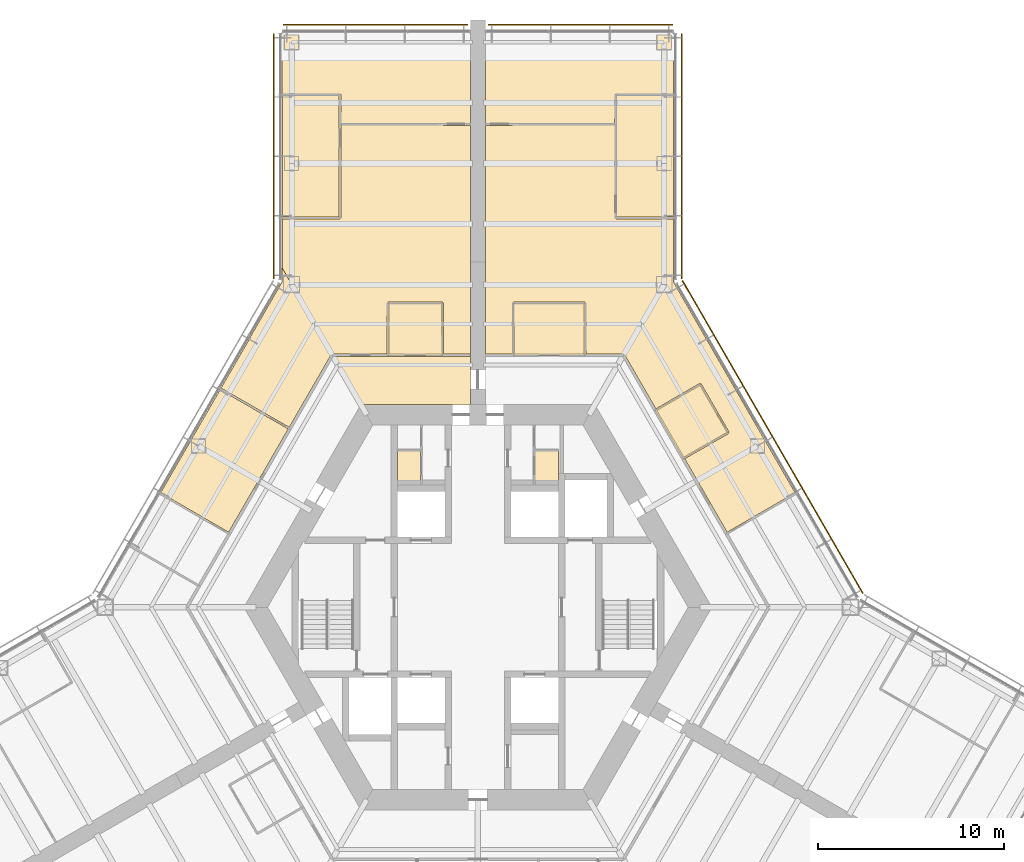
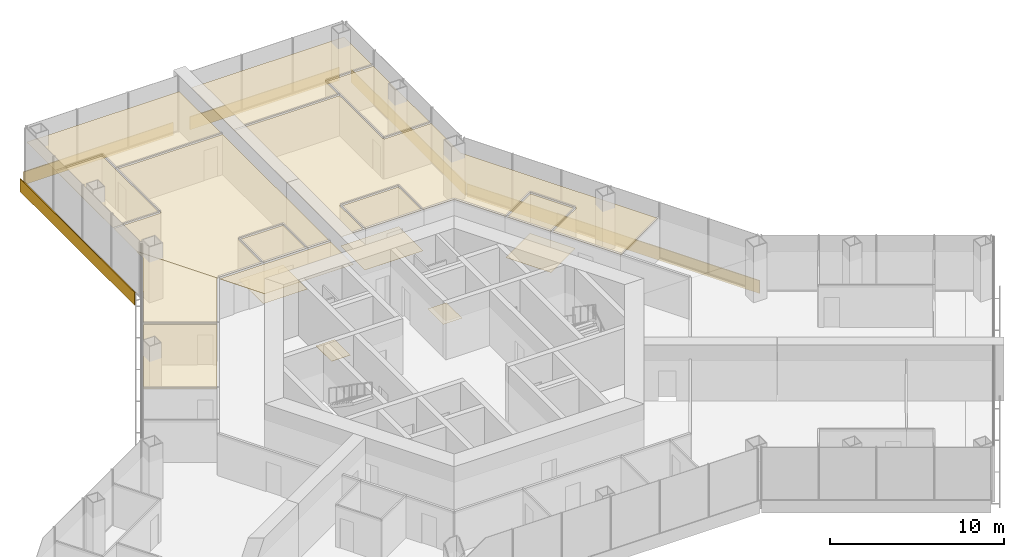
# One storey, part 18 of 18: 17 coverings, 5 shading devices.
"""IFC4 building model written with IfcOpenShell, lengths in metres."""

from ifc_helpers import new_model, si_unit, direction, frame, origin, origin_2d, place, context, subcontext, project, spatial, polyline, rectangle, outline, extrude, material, layer, layer_set, type_object, element, save


model = new_model("IFC4")

# Units and contexts
model_context = context("Model", 3, precision=1e-05, world=origin(), true_north=direction((0.0, 1.0)))
body_context = subcontext(model_context, "Body", "Model", "MODEL_VIEW")
ifc_project = project(units=[si_unit("LENGTHUNIT", "METRE"), si_unit("AREAUNIT", "SQUARE_METRE"), si_unit("VOLUMEUNIT", "CUBIC_METRE"), si_unit("PLANEANGLEUNIT", "RADIAN"), si_unit("MASSUNIT", "GRAM", prefix="KILO")], contexts=[model_context])

# Site, building, storey
site_placement = place(None, origin())
site = spatial("IfcSite", under=ifc_project, at=site_placement, CompositionType="ELEMENT")
building_placement = place(site_placement, origin())
building = spatial("IfcBuilding", under=site, at=building_placement, Name="Kasaneha Research Tower", CompositionType="ELEMENT")
storey_placement = place(building_placement, frame((0.0, 0.0, 115.800048828125)))
storey = spatial("IfcBuildingStorey", under=building, at=storey_placement, Name="L29", CompositionType="ELEMENT", Elevation=115.800048828125)

# Coverings
ifc_material_1 = material(Name="Gypsum ceiling board", Category="gypsum")
ifc_layer_1 = layer(ifc_material_1, 0.02001953125)
ifc_layer_set_1 = layer_set([ifc_layer_1], Name="Suspended ceiling 20")
covering_type_1 = type_object("IfcCoveringType", Name="Suspended ceiling 20", PredefinedType="CEILING", material=ifc_layer_set_1)
covering_1_placement = place(storey_placement, frame((0.0, 0.0, 2.800048828125)))
element("IfcCovering", 1, at=covering_1_placement, inside=storey, type_object=covering_type_1, Name="Ceiling L29-27", PredefinedType="CEILING", context=body_context, shape_type="SweptSolid", body=[
    extrude(outline(polyline([(1.954345703125, 13.60009765625), (1.9501953125, 16.27490234375), (5.70703125, 16.27490234375), (5.70263671875, 13.60009765625), (1.954345703125, 13.60009765625)])), origin(), (0.0, 0.0, 1.0), 0.02001953125),
])
covering_2_placement = place(storey_placement, frame((0.0, 0.0, 2.800048828125)))
element("IfcCovering", 2, at=covering_2_placement, inside=storey, type_object=covering_type_1, Name="Ceiling L29-28", PredefinedType="CEILING", context=body_context, shape_type="SweptSolid", body=[
    extrude(outline(polyline([(11.05078125, 8.0595703125), (9.605224609375, 10.5634765625), (11.919677734375, 11.904541015625), (13.36962890625, 9.393310546875), (11.05078125, 8.0595703125)])), origin(), (0.0, 0.0, 1.0), 0.02001953125),
])
covering_3_placement = place(storey_placement, frame((0.0, 0.0, 2.800048828125)))
element("IfcCovering", 3, at=covering_3_placement, inside=storey, type_object=covering_type_1, Name="Ceiling L29-29", PredefinedType="CEILING", context=body_context, shape_type="SweptSolid", body=[
    extrude(outline(polyline([(10.50048828125, 27.510986328125), (10.5, 27.510986328125), (10.5, 27.56103515625), (7.39990234375, 27.560791015625), (7.39990234375, 27.5107421875), (7.35009765625, 27.5107421875), (7.34521484375, 25.974365234375), (0.419921875, 25.970458984375), (0.419921875, 25.92041015625), (0.39990234375, 25.92041015625), (0.39990234375, 30.820556640625), (10.500244140625, 30.821044921875), (10.50048828125, 27.510986328125)])), origin(), (0.0, 0.0, 1.0), 0.02001953125),
])
covering_4_placement = place(storey_placement, frame((0.0, 0.0, 2.800048828125)))
element("IfcCovering", 4, at=covering_4_placement, inside=storey, type_object=covering_type_1, Name="Ceiling L29-31", PredefinedType="CEILING", context=body_context, shape_type="SweptSolid", body=[
    extrude(outline(polyline([(10.5, 20.941162109375), (7.449951171875, 20.941162109375), (7.449951171875, 25.924560546875), (7.445068359375, 25.924560546875), (7.449951171875, 27.460693359375), (10.5, 27.461181640625), (10.5, 20.941162109375)])), origin(), (0.0, 0.0, 1.0), 0.02001953125),
])
covering_5_placement = place(storey_placement, frame((0.0, 0.0, 2.800048828125)))
element("IfcCovering", 5, at=covering_5_placement, inside=storey, type_object=covering_type_1, Name="Ceiling L29-32", PredefinedType="CEILING", context=body_context, shape_type="SweptSolid", body=[
    extrude(outline(polyline([(13.438232421875, 9.374755859375), (13.438232421875, 9.375), (13.481201171875, 9.39990234375), (11.981201171875, 11.998046875), (11.938232421875, 11.97314453125), (11.938232421875, 11.973388671875), (11.937744140625, 11.97314453125), (11.912841796875, 12.016357421875), (9.55517578125, 10.64990234375), (7.87353515625, 13.5625), (7.80908203125, 13.525146484375), (7.80908203125, 13.525390625), (7.80859375, 13.525390625), (7.80859375, 13.60009765625), (5.802734375, 13.60009765625), (5.806884765625, 16.324951171875), (5.757080078125, 16.324951171875), (5.757080078125, 16.325439453125), (5.757080078125, 16.325439453125), (5.757080078125, 16.375), (1.89990234375, 16.375), (1.89990234375, 16.325439453125), (1.899658203125, 16.325439453125), (1.899658203125, 16.324951171875), (1.85009765625, 16.324951171875), (1.8544921875, 13.60009765625), (0.419921875, 13.60009765625), (0.419921875, 13.525390625), (0.39990234375, 13.525390625), (0.39990234375, 25.919921875), (0.419921875, 25.919921875), (0.419921875, 25.87060546875), (7.35009765625, 25.87451171875), (7.35009765625, 20.89111328125), (7.399658203125, 20.89111328125), (7.399658203125, 20.890869140625), (7.39990234375, 20.890869140625), (7.39990234375, 20.841064453125), (10.5, 20.841064453125), (10.5, 17.45458984375), (17.055908203125, 6.09912109375), (17.055908203125, 6.09912109375), (17.03125, 6.14208984375), (13.37841796875, 4.028076171875), (11.100830078125, 7.972900390625), (13.462890625, 9.33154296875), (13.43798828125, 9.374755859375), (13.438232421875, 9.374755859375)])), origin(), (0.0, 0.0, 1.0), 0.02001953125),
])
covering_6_placement = place(storey_placement, frame((0.0, 0.0, 2.800048828125)))
element("IfcCovering", 6, at=covering_6_placement, inside=storey, type_object=covering_type_1, Name="Ceiling L29-33", PredefinedType="CEILING", context=body_context, shape_type="SweptSolid", body=[
    extrude(outline(polyline([(-0.39990234375, 11.72509765625), (-0.39990234375, 10.875), (-6.278564453125, 10.875), (-7.765380859375, 13.449951171875), (-7.765380859375, 13.449951171875), (-4.833984375, 13.449951171875), (-4.824462890625, 13.449951171875), (-1.904541015625, 13.449951171875), (-1.89501953125, 13.449951171875), (-0.419921875, 13.449951171875), (-0.419921875, 13.52490234375), (-0.39990234375, 13.52490234375), (-0.39990234375, 12.72509765625), (-0.39990234375, 11.72509765625)])), origin(), (0.0, 0.0, 1.0), 0.02001953125),
])
covering_7_placement = place(storey_placement, frame((0.0, 0.0, 2.800048828125)))
element("IfcCovering", 7, at=covering_7_placement, inside=storey, type_object=covering_type_1, Name="Ceiling L29-34", PredefinedType="CEILING", context=body_context, shape_type="SweptSolid", body=[
    extrude(outline(polyline([(-4.77880859375, 16.27490234375), (-1.9501953125, 16.27490234375), (-1.954345703125, 13.60009765625), (-4.774658203125, 13.60009765625), (-4.77880859375, 16.27490234375)])), origin(), (0.0, 0.0, 1.0), 0.02001953125),
])
covering_8_placement = place(storey_placement, frame((0.0, 0.0, 2.800048828125)))
element("IfcCovering", 8, at=covering_8_placement, inside=storey, type_object=covering_type_1, Name="Ceiling L29-35", PredefinedType="CEILING", context=body_context, shape_type="SweptSolid", body=[
    extrude(outline(polyline([(-0.419921875, 25.92041015625), (-0.419921875, 25.970458984375), (-7.34521484375, 25.974365234375), (-7.35009765625, 27.5107421875), (-7.39990234375, 27.5107421875), (-7.39990234375, 27.560791015625), (-10.5, 27.56103515625), (-10.5, 27.510986328125), (-10.50048828125, 27.510986328125), (-10.500244140625, 30.821044921875), (-0.39990234375, 30.820556640625), (-0.39990234375, 25.92041015625), (-0.419921875, 25.92041015625)])), origin(), (0.0, 0.0, 1.0), 0.02001953125),
])
covering_9_placement = place(storey_placement, frame((0.0, 0.0, 2.800048828125)))
element("IfcCovering", 9, at=covering_9_placement, inside=storey, type_object=covering_type_1, Name="Ceiling L29-36", PredefinedType="CEILING", context=body_context, shape_type="SweptSolid", body=[
    extrude(outline(polyline([(-10.5, 27.461181640625), (-7.449951171875, 27.460693359375), (-7.445068359375, 25.924560546875), (-7.449951171875, 25.924560546875), (-7.449951171875, 20.941162109375), (-10.5, 20.941162109375), (-10.5, 27.461181640625)])), origin(), (0.0, 0.0, 1.0), 0.02001953125),
])
covering_10_placement = place(storey_placement, frame((0.0, 0.0, 2.800048828125)))
element("IfcCovering", 10, at=covering_10_placement, inside=storey, type_object=covering_type_1, Name="Ceiling L29-37", PredefinedType="CEILING", context=body_context, shape_type="SweptSolid", body=[
    extrude(outline(polyline([(-1.89990234375, 16.325439453125), (-1.89990234375, 16.375), (-4.8291015625, 16.375), (-4.8291015625, 16.325439453125), (-4.8291015625, 16.324951171875), (-4.87890625, 16.324951171875), (-4.87451171875, 13.60009765625), (-7.78564453125, 13.60009765625), (-7.78564453125, 13.525390625), (-7.808837890625, 13.525390625), (-10.5, 18.1865234375), (-10.5, 20.841064453125), (-7.39990234375, 20.841064453125), (-7.39990234375, 20.890869140625), (-7.399658203125, 20.890869140625), (-7.399658203125, 20.89111328125), (-7.35009765625, 20.89111328125), (-7.35009765625, 25.87451171875), (-0.419921875, 25.87060546875), (-0.419921875, 25.919921875), (-0.39990234375, 25.919921875), (-0.39990234375, 13.525390625), (-0.419921875, 13.525390625), (-0.419921875, 13.60009765625), (-1.8544921875, 13.60009765625), (-1.85009765625, 16.324951171875), (-1.899658203125, 16.324951171875), (-1.899658203125, 16.325439453125), (-1.89990234375, 16.325439453125)])), origin(), (0.0, 0.0, 1.0), 0.02001953125),
])
covering_11_placement = place(storey_placement, frame((0.0, 0.0, 2.800048828125)))
element("IfcCovering", 11, at=covering_11_placement, inside=storey, type_object=covering_type_1, Name="Ceiling L29-40", PredefinedType="CEILING", context=body_context, shape_type="SweptSolid", body=[
    extrude(outline(polyline([(-12.19677734375, 14.53955078125), (-10.511962890625, 17.457763671875), (-10.511962890625, 18.1865234375), (-10.5068359375, 18.196533203125), (-10.49462890625, 18.197265625), (-7.796875, 13.525634765625), (-7.8017578125, 13.513916015625), (-7.80908203125, 13.525146484375), (-7.820556640625, 13.50537109375), (-7.88525390625, 13.54248046875), (-10.127685546875, 9.658447265625), (-13.767578125, 11.755126953125), (-13.79248046875, 11.711669921875), (-13.809814453125, 11.7216796875), (-12.1923828125, 14.523193359375), (-12.19775390625, 14.5302734375), (-12.19677734375, 14.53955078125)])), origin(), (0.0, 0.0, 1.0), 0.02001953125),
])
covering_12_placement = place(storey_placement, frame((0.0, 0.0, 2.800048828125)))
element("IfcCovering", 12, at=covering_12_placement, inside=storey, type_object=covering_type_1, Name="Ceiling L29-44", PredefinedType="CEILING", context=body_context, shape_type="SweptSolid", body=[
    extrude(outline(polyline([(-17.055908203125, 6.09912109375), (-13.81005859375, 11.72119140625), (-13.792724609375, 11.711181640625), (-13.8173828125, 11.66845703125), (-10.177490234375, 9.572021484375), (-13.37841796875, 4.028076171875), (-17.03125, 6.14208984375), (-17.055908203125, 6.09912109375), (-17.055908203125, 6.09912109375)])), origin(), (0.0, 0.0, 1.0), 0.02001953125),
])

# Shading devices
ifc_material_2 = material(Name="Terracotta", Category="masonry")
ifc_layer_2 = layer(ifc_material_2, 0.06005859375)
ifc_layer_set_2 = layer_set([ifc_layer_2], Name="Terracotta baguette screen")
shading_device_type = type_object("IfcShadingDeviceType", Name="Terracotta baguette screen", PredefinedType="USERDEFINED", material=ifc_layer_set_2)
shading_device_1_placement = place(storey_placement, frame((15.82275390625, 9.13525390625, -0.449951171875), z_axis=(0.0, 0.0, 1.0), x_axis=(-0.49999996188, 0.866025425793, 0.0)))
element("IfcShadingDevice", 13, at=shading_device_1_placement, inside=storey, type_object=shading_device_type, Name="Baguette screen L29 07", ObjectType="TERRACOTTA BAGUETTE SCREEN", PredefinedType="USERDEFINED", context=body_context, shape_type="SweptSolid", body=[
    extrude(rectangle(XDim=19.37841796875, YDim=0.06005859375, at=origin_2d()), origin(), (0.0, 0.0, 1.0), 0.89990234375),
])
shading_device_2_placement = place(storey_placement, frame((10.949951171875, 24.200927734375, -0.449951171875), z_axis=(0.0, 0.0, 1.0), x_axis=(0.0, 1.0, 0.0)))
element("IfcShadingDevice", 14, at=shading_device_2_placement, inside=storey, type_object=shading_device_type, Name="Baguette screen L29 08", ObjectType="TERRACOTTA BAGUETTE SCREEN", PredefinedType="USERDEFINED", context=body_context, shape_type="SweptSolid", body=[
    extrude(rectangle(XDim=13.13916015625, YDim=0.06005859375, at=origin_2d()), origin(), (0.0, 0.0, 1.0), 0.89990234375),
])
for number, where, z_axis, x_axis, name in (
    (15, (5.5, 31.2705078125, -0.449951171875), (0.0, 0.0, 1.0), (-1.0, 0.0, 0.0), "Baguette screen L29 09"),
    (16, (-5.5, 31.2705078125, -0.449951171875), (0.0, 0.0, 1.0), (-1.0, 0.0, 0.0), "Baguette screen L29 10"),
):
    element("IfcShadingDevice", number, at=place(storey_placement, frame(where, z_axis=z_axis, x_axis=x_axis)), inside=storey, type_object=shading_device_type, Name=name, ObjectType="TERRACOTTA BAGUETTE SCREEN", PredefinedType="USERDEFINED", context=body_context, shape_type="SweptSolid", body=[
        extrude(rectangle(XDim=9.89990234375, YDim=0.06005859375, at=origin_2d()), origin(), (0.0, 0.0, 1.0), 0.89990234375),
    ])
shading_device_3_placement = place(storey_placement, frame((-10.949951171875, 24.200927734375, -0.449951171875), z_axis=(0.0, 0.0, 1.0), x_axis=(0.0, -1.0, 0.0)))
element("IfcShadingDevice", 17, at=shading_device_3_placement, inside=storey, type_object=shading_device_type, Name="Baguette screen L29 11", ObjectType="TERRACOTTA BAGUETTE SCREEN", PredefinedType="USERDEFINED", context=body_context, shape_type="SweptSolid", body=[
    extrude(rectangle(XDim=13.13916015625, YDim=0.06005859375, at=origin_2d()), origin(), (0.0, 0.0, 1.0), 0.89990234375),
])

# Coverings
ifc_material_3 = material(Name="Vinyl sheet flooring", Category="plastic")
ifc_layer_3 = layer(ifc_material_3, 0.0048828125)
ifc_layer_set_3 = layer_set([ifc_layer_3], Name="Wet room sheet flooring 5")
covering_type_2 = type_object("IfcCoveringType", Name="Wet room sheet flooring 5", PredefinedType="FLOORING", material=ifc_layer_set_3)
covering_13_placement = place(storey_placement, origin())
element("IfcCovering", 18, at=covering_13_placement, inside=storey, type_object=covering_type_2, Name="Floor finish L29-07", PredefinedType="FLOORING", context=body_context, shape_type="SweptSolid", body=[
    extrude(outline(polyline([(-4.324951171875, 6.574951171875), (-4.324951171875, 8.375), (-3.074951171875, 8.375), (-3.074951171875, 6.574951171875), (-4.324951171875, 6.574951171875)])), origin(), (0.0, 0.0, 1.0), 0.0048828125),
])
covering_14_placement = place(storey_placement, origin())
element("IfcCovering", 19, at=covering_14_placement, inside=storey, type_object=covering_type_2, Name="Floor finish L29-10", PredefinedType="FLOORING", context=body_context, shape_type="SweptSolid", body=[
    extrude(outline(polyline([(3.074951171875, 6.574951171875), (3.074951171875, 8.375), (4.324951171875, 8.375), (4.324951171875, 7.0), (4.324951171875, 6.574951171875), (3.074951171875, 6.574951171875)])), origin(), (0.0, 0.0, 1.0), 0.0048828125),
])
covering_15_placement = place(storey_placement, origin())
element("IfcCovering", 20, at=covering_15_placement, inside=storey, type_object=covering_type_2, Name="Floor finish L29-27", PredefinedType="FLOORING", context=body_context, shape_type="SweptSolid", body=[
    extrude(outline(polyline([(1.89990234375, 16.324951171875), (5.757080078125, 16.324951171875), (5.757080078125, 13.52490234375), (1.89990234375, 13.52490234375), (1.89990234375, 16.324951171875)])), origin(), (0.0, 0.0, 1.0), 0.0048828125),
])
covering_16_placement = place(storey_placement, origin())
element("IfcCovering", 21, at=covering_16_placement, inside=storey, type_object=covering_type_2, Name="Floor finish L29-28", PredefinedType="FLOORING", context=body_context, shape_type="SweptSolid", body=[
    extrude(outline(polyline([(11.93798828125, 11.972900390625), (13.43798828125, 9.375), (11.012939453125, 7.974853515625), (9.512939453125, 10.572998046875), (11.93798828125, 11.972900390625)])), origin(), (0.0, 0.0, 1.0), 0.0048828125),
])
covering_17_placement = place(storey_placement, origin())
element("IfcCovering", 22, at=covering_17_placement, inside=storey, type_object=covering_type_2, Name="Floor finish L29-34", PredefinedType="FLOORING", context=body_context, shape_type="SweptSolid", body=[
    extrude(outline(polyline([(-4.8291015625, 16.324951171875), (-1.89990234375, 16.324951171875), (-1.89990234375, 13.52490234375), (-4.8291015625, 13.52490234375), (-4.8291015625, 16.324951171875)])), origin(), (0.0, 0.0, 1.0), 0.0048828125),
])

save(model, "model.ifc")
